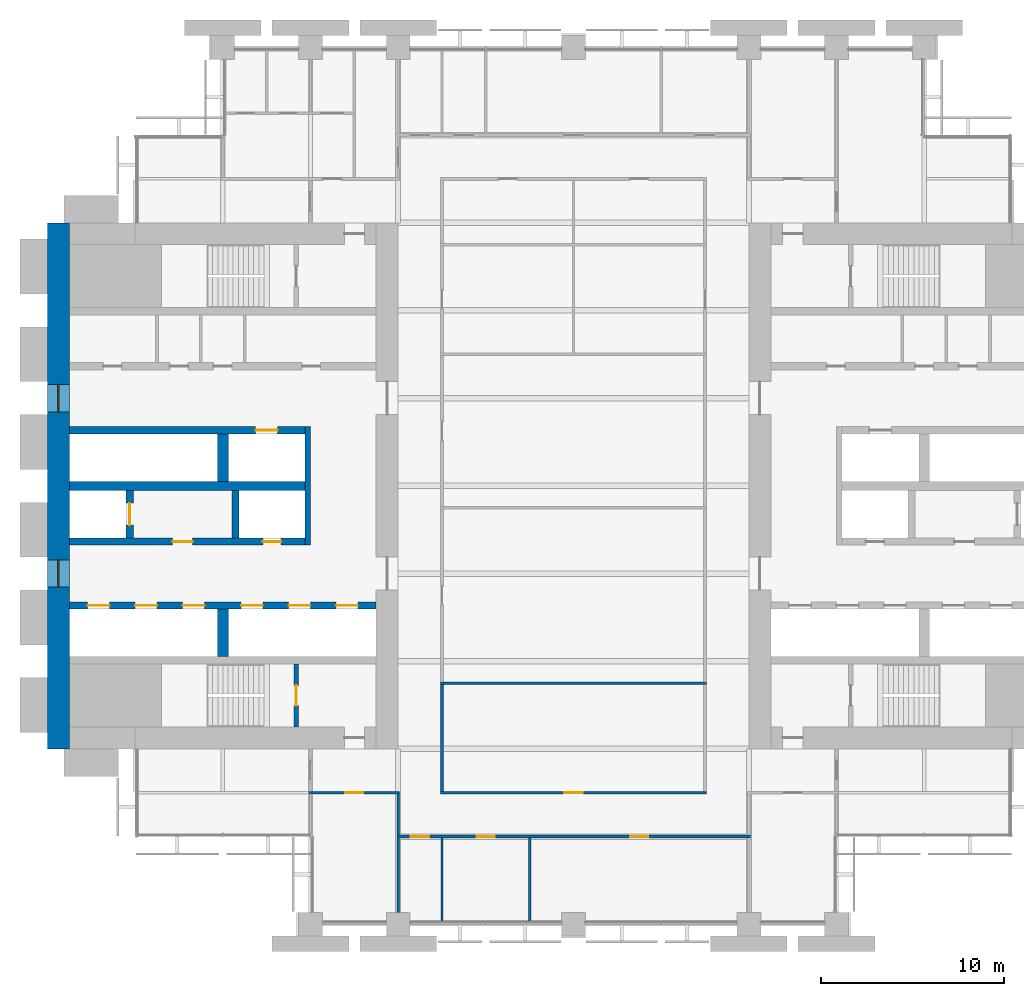
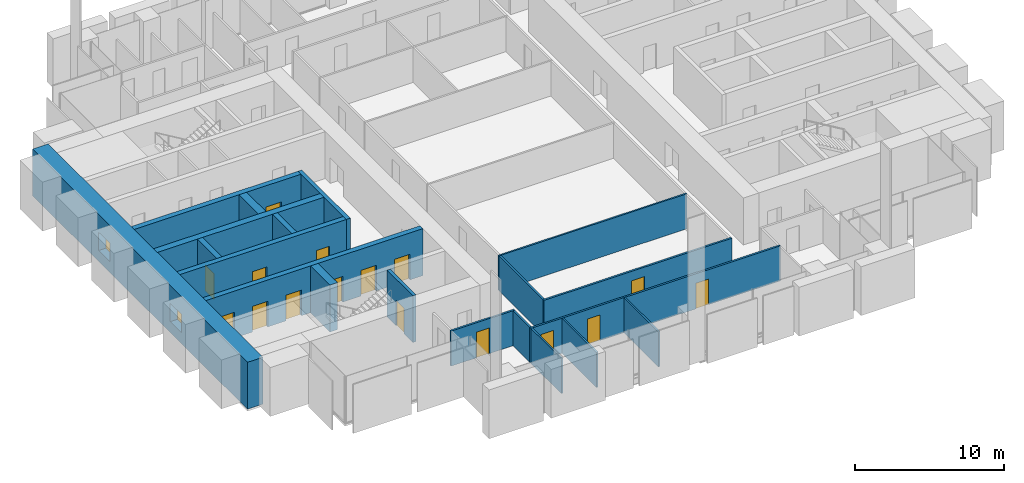
# One storey, part 9 of 14: 20 walls, 16 doors, 2 windows, 18 openings.
"""IFC4 building model written with IfcOpenShell, lengths in metres."""

from ifc_helpers import new_model, si_unit, direction, frame, frame_2d, origin, place, context, subcontext, project, spatial, rectangle, extrude, material, layer, layer_set, type_object, element, fill, save


model = new_model("IFC4")

# Units and contexts
model_context = context("Model", 3, precision=1e-05, world=origin(), true_north=direction((0.0, 1.0)))
body_context = subcontext(model_context, "Body", "Model", "MODEL_VIEW")
ifc_project = project(units=[si_unit("LENGTHUNIT", "METRE"), si_unit("AREAUNIT", "SQUARE_METRE"), si_unit("VOLUMEUNIT", "CUBIC_METRE"), si_unit("PLANEANGLEUNIT", "RADIAN"), si_unit("MASSUNIT", "GRAM", prefix="KILO")], contexts=[model_context])

# Site, building, storey
site_placement = place(None, origin())
site = spatial("IfcSite", under=ifc_project, at=site_placement, CompositionType="ELEMENT")
building_placement = place(site_placement, origin())
building = spatial("IfcBuilding", under=site, at=building_placement, Name="Baori Bourse Tower", CompositionType="ELEMENT")
storey_placement = place(building_placement, frame((0.0, 0.0, 63.0)))
storey = spatial("IfcBuildingStorey", under=building, at=storey_placement, Name="L13", CompositionType="ELEMENT", Elevation=63.0)

# Wall, openings, windows
ifc_material_1 = material(Name="Concrete f'c 70 MPa", Category="concrete")
ifc_layer_1 = layer(ifc_material_1, 1.199951171875)
ifc_layer_set_1 = layer_set([ifc_layer_1], Name="Core wall 1200 f'c 70")
wall_type_1 = type_object("IfcWallType", Name="Core wall 1200 f'c 70", PredefinedType="SHEAR", material=ifc_layer_set_1)
wall_1_placement = place(storey_placement, frame((0.60009765625, 9.60009765625, 0.0), z_axis=(0.0, 0.0, 1.0), x_axis=(0.0, 1.0, 0.0)))
wall_1 = element("IfcWall", 1, at=wall_1_placement, inside=storey, type_object=wall_type_1, Name="Core wall W01", PredefinedType="SHEAR", context=body_context, shape_type="SweptSolid", body=[
    extrude(rectangle(XDim=28.7998046875, YDim=1.199951171875, at=frame_2d((14.39990234375, 0.0))), origin(), (0.0, 0.0, 1.0), 3.840087890625),
])
opening_1_placement = place(wall_1_placement, frame((8.85009765625, 0.0, 0.89990234375)))
opening_1 = element("IfcOpeningElement", 2, at=opening_1_placement, cuts=wall_1, Name="Opening L13-KW101", PredefinedType="OPENING", context=body_context, shape_type="SweptSolid", body=[
    extrude(rectangle(XDim=1.5, YDim=1.5, at=frame_2d((0.75, 0.75))), frame((0.0, 0.60986328125, 0.0), z_axis=(0.0, -1.0, 0.0), x_axis=(1.0, 0.0, 0.0)), (0.0, 0.0, 1.0), 1.219970703125),
])
opening_2_placement = place(wall_1_placement, frame((18.449951171875, 0.0, 0.89990234375)))
opening_2 = element("IfcOpeningElement", 3, at=opening_2_placement, cuts=wall_1, Name="Opening L13-KW102", PredefinedType="OPENING", context=body_context, shape_type="SweptSolid", body=[
    extrude(rectangle(XDim=1.5, YDim=1.5, at=frame_2d((0.75, 0.75))), frame((0.0, 0.60986328125, 0.0), z_axis=(0.0, -1.0, 0.0), x_axis=(1.0, 0.0, 0.0)), (0.0, 0.0, 1.0), 1.219970703125),
])
ifc_material_2 = material(Name="Pale anodised aluminium", Category="aluminium")
window_type = type_object("IfcWindowType", Name="Lobby window 1500 x 1500", PartitioningType="SINGLE_PANEL", PredefinedType="WINDOW", material=ifc_material_2)
window_1_placement = place(opening_1_placement, origin())
window_1 = element("IfcWindow", 4, at=window_1_placement, inside=storey, type_object=window_type, Name="Outer wall window W L13 1", OverallHeight=1.5, OverallWidth=1.5, PartitioningType="SINGLE_PANEL", PredefinedType="WINDOW", context=body_context, shape_type="SweptSolid", body=[
    extrude(rectangle(XDim=1.5, YDim=1.5, at=frame_2d((0.75, 0.75))), frame((0.0, 0.030029296875, 0.0), z_axis=(0.0, -1.0, 0.0), x_axis=(1.0, 0.0, 0.0)), (0.0, 0.0, 1.0), 0.06005859375),
])
fill(opening_1, window_1)
window_2_placement = place(opening_2_placement, origin())
window_2 = element("IfcWindow", 5, at=window_2_placement, inside=storey, type_object=window_type, Name="Outer wall window W L13 2", OverallHeight=1.5, OverallWidth=1.5, PartitioningType="SINGLE_PANEL", PredefinedType="WINDOW", context=body_context, shape_type="SweptSolid", body=[
    extrude(rectangle(XDim=1.5, YDim=1.5, at=frame_2d((0.75, 0.75))), frame((0.0, 0.030029296875, 0.0), z_axis=(0.0, -1.0, 0.0), x_axis=(1.0, 0.0, 0.0)), (0.0, 0.0, 1.0), 0.06005859375),
])
fill(opening_2, window_2)

# Wall, openings, doors
ifc_material_3 = material(Name="Gypsum board partition")
ifc_layer_2 = layer(ifc_material_3, 0.14990234375)
ifc_layer_set_2 = layer_set([ifc_layer_2], Name="Corridor partition 150")
wall_type_2 = type_object("IfcWallType", Name="Corridor partition 150", PredefinedType="PARTITIONING", material=ifc_layer_set_2)
wall_2_placement = place(storey_placement, frame((19.125, 4.800048828125, 0.0), z_axis=(0.0, 0.0, 1.0), x_axis=(1.0, 0.0, 0.0)))
wall_2 = element("IfcWall", 6, at=wall_2_placement, inside=storey, type_object=wall_type_2, Name="Partition", PredefinedType="PARTITIONING", context=body_context, shape_type="SweptSolid", body=[
    extrude(rectangle(XDim=19.35009765625, YDim=0.14990234375, at=frame_2d((9.675048828125, 0.0))), origin(), (0.0, 0.0, 1.0), 2.86962890625),
])
opening_3_placement = place(wall_2_placement, frame((0.77490234375, 0.0, 0.0)))
opening_3 = element("IfcOpeningElement", 7, at=opening_3_placement, cuts=wall_2, Name="Opening L13-D01", PredefinedType="OPENING", context=body_context, shape_type="SweptSolid", body=[
    extrude(rectangle(XDim=1.0, YDim=2.10009765625, at=frame_2d((0.5, 1.050048828125))), frame((0.0, 0.0849609375, 0.0), z_axis=(0.0, -1.0, 0.0), x_axis=(1.0, 0.0, 0.0)), (0.0, 0.0, 1.0), 0.169921875),
])
opening_4_placement = place(wall_2_placement, frame((4.375, 0.0, 0.0)))
opening_4 = element("IfcOpeningElement", 8, at=opening_4_placement, cuts=wall_2, Name="Opening L13-D02", PredefinedType="OPENING", context=body_context, shape_type="SweptSolid", body=[
    extrude(rectangle(XDim=1.0, YDim=2.10009765625, at=frame_2d((0.5, 1.050048828125))), frame((0.0, 0.0849609375, 0.0), z_axis=(0.0, -1.0, 0.0), x_axis=(1.0, 0.0, 0.0)), (0.0, 0.0, 1.0), 0.169921875),
])
opening_5_placement = place(wall_2_placement, frame((12.77490234375, 0.0, 0.0)))
opening_5 = element("IfcOpeningElement", 9, at=opening_5_placement, cuts=wall_2, Name="Opening L13-D03", PredefinedType="OPENING", context=body_context, shape_type="SweptSolid", body=[
    extrude(rectangle(XDim=1.0, YDim=2.10009765625, at=frame_2d((0.5, 1.050048828125))), frame((0.0, 0.0849609375, 0.0), z_axis=(0.0, -1.0, 0.0), x_axis=(1.0, 0.0, 0.0)), (0.0, 0.0, 1.0), 0.169921875),
])
ifc_material_4 = material(Name="Timber door leaf", Category="wood")
door_type_1 = type_object("IfcDoorType", Name="Door 1000 x 2100", OperationType="SINGLE_SWING_LEFT", PredefinedType="DOOR", material=ifc_material_4)
door_1_placement = place(opening_3_placement, origin())
door_1 = element("IfcDoor", 10, at=door_1_placement, inside=storey, type_object=door_type_1, Name="Door", OperationType="SINGLE_SWING_LEFT", OverallHeight=2.10009765625, OverallWidth=1.0, PredefinedType="DOOR", context=body_context, shape_type="SweptSolid", body=[
    extrude(rectangle(XDim=1.0, YDim=2.10009765625, at=frame_2d((0.5, 1.050048828125))), frame((0.0, 0.02490234375, 0.0), z_axis=(0.0, -1.0, 0.0), x_axis=(1.0, 0.0, 0.0)), (0.0, 0.0, 1.0), 0.050048828125),
])
fill(opening_3, door_1)
door_2_placement = place(opening_4_placement, origin())
door_2 = element("IfcDoor", 11, at=door_2_placement, inside=storey, type_object=door_type_1, Name="Door", OperationType="SINGLE_SWING_LEFT", OverallHeight=2.10009765625, OverallWidth=1.0, PredefinedType="DOOR", context=body_context, shape_type="SweptSolid", body=[
    extrude(rectangle(XDim=1.0, YDim=2.10009765625, at=frame_2d((0.5, 1.050048828125))), frame((0.0, 0.02490234375, 0.0), z_axis=(0.0, -1.0, 0.0), x_axis=(1.0, 0.0, 0.0)), (0.0, 0.0, 1.0), 0.050048828125),
])
fill(opening_4, door_2)
door_3_placement = place(opening_5_placement, origin())
door_3 = element("IfcDoor", 12, at=door_3_placement, inside=storey, type_object=door_type_1, Name="Door", OperationType="SINGLE_SWING_RIGHT", OverallHeight=2.10009765625, OverallWidth=1.0, PredefinedType="DOOR", context=body_context, shape_type="SweptSolid", body=[
    extrude(rectangle(XDim=1.0, YDim=2.10009765625, at=frame_2d((0.5, 1.050048828125))), frame((0.0, 0.02490234375, 0.0), z_axis=(0.0, -1.0, 0.0), x_axis=(1.0, 0.0, 0.0)), (0.0, 0.0, 1.0), 0.050048828125),
])
fill(opening_5, door_3)

# Wall, opening, door
wall_3_placement = place(storey_placement, frame((14.324951171875, 7.199951171875, 0.0), z_axis=(0.0, 0.0, 1.0), x_axis=(1.0, 0.0, 0.0)))
wall_3 = element("IfcWall", 13, at=wall_3_placement, inside=storey, type_object=wall_type_2, Name="Partition", PredefinedType="PARTITIONING", context=body_context, shape_type="SweptSolid", body=[
    extrude(rectangle(XDim=4.949951171875, YDim=0.14990234375, at=frame_2d((2.47509765625, 0.0))), origin(), (0.0, 0.0, 1.0), 2.86962890625),
])
opening_6_placement = place(wall_3_placement, frame((1.97509765625, 0.0, 0.0)))
opening_6 = element("IfcOpeningElement", 14, at=opening_6_placement, cuts=wall_3, Name="Opening L13-D04", PredefinedType="OPENING", context=body_context, shape_type="SweptSolid", body=[
    extrude(rectangle(XDim=1.0, YDim=2.10009765625, at=frame_2d((0.5, 1.050048828125))), frame((0.0, 0.0849609375, 0.0), z_axis=(0.0, -1.0, 0.0), x_axis=(1.0, 0.0, 0.0)), (0.0, 0.0, 1.0), 0.169921875),
])
door_4_placement = place(opening_6_placement, origin())
door_4 = element("IfcDoor", 15, at=door_4_placement, inside=storey, type_object=door_type_1, Name="Door", OperationType="SINGLE_SWING_RIGHT", OverallHeight=2.10009765625, OverallWidth=1.0, PredefinedType="DOOR", context=body_context, shape_type="SweptSolid", body=[
    extrude(rectangle(XDim=1.0, YDim=2.10009765625, at=frame_2d((0.5, 1.050048828125))), frame((0.0, 0.02490234375, 0.0), z_axis=(0.0, -1.0, 0.0), x_axis=(1.0, 0.0, 0.0)), (0.0, 0.0, 1.0), 0.050048828125),
])
fill(opening_6, door_4)

wall_4_placement = place(storey_placement, frame((21.52490234375, 7.199951171875, 0.0), z_axis=(0.0, 0.0, 1.0), x_axis=(1.0, 0.0, 0.0)))
wall_4 = element("IfcWall", 16, at=wall_4_placement, inside=storey, type_object=wall_type_2, Name="Partition", PredefinedType="PARTITIONING", context=body_context, shape_type="SweptSolid", body=[
    extrude(rectangle(XDim=14.550048828125, YDim=0.14990234375, at=frame_2d((7.27490234375, 0.0))), origin(), (0.0, 0.0, 1.0), 2.86962890625),
])
opening_7_placement = place(wall_4_placement, frame((6.77490234375, 0.0, 0.0)))
opening_7 = element("IfcOpeningElement", 17, at=opening_7_placement, cuts=wall_4, Name="Opening L13-D05", PredefinedType="OPENING", context=body_context, shape_type="SweptSolid", body=[
    extrude(rectangle(XDim=1.0, YDim=2.10009765625, at=frame_2d((0.5, 1.050048828125))), frame((0.0, 0.0849609375, 0.0), z_axis=(0.0, -1.0, 0.0), x_axis=(1.0, 0.0, 0.0)), (0.0, 0.0, 1.0), 0.169921875),
])
door_5_placement = place(opening_7_placement, origin())
door_5 = element("IfcDoor", 18, at=door_5_placement, inside=storey, type_object=door_type_1, Name="Door", OperationType="SINGLE_SWING_RIGHT", OverallHeight=2.10009765625, OverallWidth=1.0, PredefinedType="DOOR", context=body_context, shape_type="SweptSolid", body=[
    extrude(rectangle(XDim=1.0, YDim=2.10009765625, at=frame_2d((0.5, 1.050048828125))), frame((0.0, 0.02490234375, 0.0), z_axis=(0.0, -1.0, 0.0), x_axis=(1.0, 0.0, 0.0)), (0.0, 0.0, 1.0), 0.050048828125),
])
fill(opening_7, door_5)

# Walls
wall_5_placement = place(storey_placement, frame((19.199951171875, 4.875, 0.0), z_axis=(0.0, 0.0, 1.0), x_axis=(0.0, 1.0, 0.0)))
element("IfcWall", 19, at=wall_5_placement, inside=storey, type_object=wall_type_2, Name="Partition", PredefinedType="PARTITIONING", context=body_context, shape_type="SweptSolid", body=[
    extrude(rectangle(XDim=2.25, YDim=0.14990234375, at=frame_2d((1.125, 0.0))), origin(), (0.0, 0.0, 1.0), 2.86962890625),
])
wall_6_placement = place(storey_placement, frame((21.60009765625, 7.27490234375, 0.0), z_axis=(0.0, 0.0, 1.0), x_axis=(0.0, 1.0, 0.0)))
element("IfcWall", 20, at=wall_6_placement, inside=storey, type_object=wall_type_2, Name="Partition", PredefinedType="PARTITIONING", context=body_context, shape_type="SweptSolid", body=[
    extrude(rectangle(XDim=5.862548828125, YDim=0.14990234375, at=frame_2d((2.93115234375, 0.0))), origin(), (0.0, 0.0, 1.0), 2.86962890625),
])
ifc_material_5 = material(Name="Gypsum board partition")
ifc_layer_3 = layer(ifc_material_5, 0.125)
ifc_layer_set_3 = layer_set([ifc_layer_3], Name="Partition 125")
wall_type_3 = type_object("IfcWallType", Name="Partition 125", PredefinedType="PARTITIONING", material=ifc_layer_set_3)
wall_7_placement = place(storey_placement, frame((21.52490234375, 13.199951171875, 0.0), z_axis=(0.0, 0.0, 1.0), x_axis=(1.0, 0.0, 0.0)))
element("IfcWall", 21, at=wall_7_placement, inside=storey, type_object=wall_type_3, Name="Partition", PredefinedType="PARTITIONING", context=body_context, shape_type="SweptSolid", body=[
    extrude(rectangle(XDim=14.550048828125, YDim=0.125, at=frame_2d((7.27490234375, 0.0))), origin(), (0.0, 0.0, 1.0), 2.86962890625),
])
wall_8_placement = place(storey_placement, frame((19.199951171875, 0.64990234375, 0.0), z_axis=(0.0, 0.0, 1.0), x_axis=(0.0, 1.0, 0.0)))
element("IfcWall", 22, at=wall_8_placement, inside=storey, type_object=wall_type_3, Name="Partition", PredefinedType="PARTITIONING", context=body_context, shape_type="SweptSolid", body=[
    extrude(rectangle(XDim=4.0751953125, YDim=0.125, at=frame_2d((2.03759765625, 0.0))), origin(), (0.0, 0.0, 1.0), 2.86962890625),
])
for number, where, z_axis, x_axis, name in (
    (23, (21.60009765625, 0.10009765625, 0.0), (0.0, 0.0, 1.0), (0.0, 1.0, 0.0), "Partition"),
    (24, (26.39990234375, 0.10009765625, 0.0), (0.0, 0.0, 1.0), (0.0, 1.0, 0.0), "Partition"),
):
    element("IfcWall", number, at=place(storey_placement, frame(where, z_axis=z_axis, x_axis=x_axis)), inside=storey, type_object=wall_type_3, Name=name, PredefinedType="PARTITIONING", context=body_context, shape_type="SweptSolid", body=[
        extrude(rectangle(XDim=4.625, YDim=0.125, at=frame_2d((2.3125, 0.0))), origin(), (0.0, 0.0, 1.0), 2.86962890625),
    ])

# Wall, opening, door
ifc_material_6 = material(Name="Concrete f'c 70 MPa", Category="concrete")
ifc_layer_4 = layer(ifc_material_6, 0.25)
ifc_layer_set_4 = layer_set([ifc_layer_4], Name="Shaft wall 250 f'c 70")
wall_type_4 = type_object("IfcWallType", Name="Shaft wall 250 f'c 70", PredefinedType="SHEAR", material=ifc_layer_set_4)
wall_9_placement = place(storey_placement, frame((13.625, 10.800048828125, 0.0), z_axis=(0.0, 0.0, 1.0), x_axis=(0.0, 1.0, 0.0)))
wall_9 = element("IfcWall", 25, at=wall_9_placement, inside=storey, type_object=wall_type_4, Name="Core wall W06", PredefinedType="SHEAR", context=body_context, shape_type="SweptSolid", body=[
    extrude(rectangle(XDim=3.449951171875, YDim=0.25, at=frame_2d((1.72509765625, 0.0))), origin(), (0.0, 0.0, 1.0), 3.840087890625),
])
opening_8_placement = place(wall_9_placement, frame((1.175048828125, 0.0, 0.0)))
opening_8 = element("IfcOpeningElement", 26, at=opening_8_placement, cuts=wall_9, Name="Opening L13-D101", PredefinedType="OPENING", context=body_context, shape_type="SweptSolid", body=[
    extrude(rectangle(XDim=1.10009765625, YDim=2.10009765625, at=frame_2d((0.550048828125, 1.050048828125))), frame((0.0, 0.135009765625, 0.0), z_axis=(0.0, -1.0, 0.0), x_axis=(1.0, 0.0, 0.0)), (0.0, 0.0, 1.0), 0.27001953125),
])
ifc_material_7 = material(Name="Painted steel door", Category="steel")
door_type_2 = type_object("IfcDoorType", Name="Stair door 1100", OperationType="SINGLE_SWING_LEFT", PredefinedType="DOOR", material=ifc_material_7)
door_6_placement = place(opening_8_placement, origin())
door_6 = element("IfcDoor", 27, at=door_6_placement, inside=storey, type_object=door_type_2, Name="Stair door A W L13", OperationType="SINGLE_SWING_LEFT", OverallHeight=2.10009765625, OverallWidth=1.10009765625, PredefinedType="DOOR", context=body_context, shape_type="SweptSolid", body=[
    extrude(rectangle(XDim=1.10009765625, YDim=2.10009765625, at=frame_2d((0.550048828125, 1.050048828125))), frame((0.0, 0.02490234375, 0.0), z_axis=(0.0, -1.0, 0.0), x_axis=(1.0, 0.0, 0.0)), (0.0, 0.0, 1.0), 0.050048828125),
])
fill(opening_8, door_6)

# Wall
ifc_material_8 = material(Name="Concrete f'c 70 MPa", Category="concrete")
ifc_layer_5 = layer(ifc_material_8, 0.300048828125)
ifc_layer_set_5 = layer_set([ifc_layer_5], Name="Shaft wall 300 f'c 70")
wall_type_5 = type_object("IfcWallType", Name="Shaft wall 300 f'c 70", PredefinedType="SHEAR", material=ifc_layer_set_5)
wall_10_placement = place(storey_placement, frame((14.25, 20.75, 0.0), z_axis=(0.0, 0.0, 1.0), x_axis=(0.0, 1.0, 0.0)))
element("IfcWall", 28, at=wall_10_placement, inside=storey, type_object=wall_type_5, Name="Core wall W11", PredefinedType="SHEAR", context=body_context, shape_type="SweptSolid", body=[
    extrude(rectangle(XDim=6.5, YDim=0.300048828125, at=frame_2d((3.25, 0.0))), origin(), (0.0, 0.0, 1.0), 3.840087890625),
])

# Wall, openings, doors
ifc_material_9 = material(Name="Concrete f'c 70 MPa", Category="concrete")
ifc_layer_6 = layer(ifc_material_9, 0.39990234375)
ifc_layer_set_6 = layer_set([ifc_layer_6], Name="Shaft wall 400 f'c 70")
wall_type_6 = type_object("IfcWallType", Name="Shaft wall 400 f'c 70", PredefinedType="SHEAR", material=ifc_layer_set_6)
wall_11_placement = place(storey_placement, frame((1.199951171875, 17.449951171875, 0.0), z_axis=(0.0, 0.0, 1.0), x_axis=(1.0, 0.0, 0.0)))
wall_11 = element("IfcWall", 29, at=wall_11_placement, inside=storey, type_object=wall_type_6, Name="Core wall W09", PredefinedType="SHEAR", context=body_context, shape_type="SweptSolid", body=[
    extrude(rectangle(XDim=16.800048828125, YDim=0.39990234375, at=frame_2d((8.39990234375, 0.0))), origin(), (0.0, 0.0, 1.0), 3.840087890625),
])
opening_9_placement = place(wall_11_placement, frame((1.0, 0.0, 0.0)))
opening_9 = element("IfcOpeningElement", 30, at=opening_9_placement, cuts=wall_11, Name="Opening L13-D113", PredefinedType="OPENING", context=body_context, shape_type="SweptSolid", body=[
    extrude(rectangle(XDim=1.199951171875, YDim=2.10009765625, at=frame_2d((0.60009765625, 1.050048828125))), frame((0.0, 0.2099609375, 0.0), z_axis=(0.0, -1.0, 0.0), x_axis=(1.0, 0.0, 0.0)), (0.0, 0.0, 1.0), 0.419921875),
])
opening_10_placement = place(wall_11_placement, frame((3.60009765625, 0.0, 0.0)))
opening_10 = element("IfcOpeningElement", 31, at=opening_10_placement, cuts=wall_11, Name="Opening L13-D114", PredefinedType="OPENING", context=body_context, shape_type="SweptSolid", body=[
    extrude(rectangle(XDim=1.199951171875, YDim=2.10009765625, at=frame_2d((0.60009765625, 1.050048828125))), frame((0.0, 0.2099609375, 0.0), z_axis=(0.0, -1.0, 0.0), x_axis=(1.0, 0.0, 0.0)), (0.0, 0.0, 1.0), 0.419921875),
])
opening_11_placement = place(wall_11_placement, frame((6.199951171875, 0.0, 0.0)))
opening_11 = element("IfcOpeningElement", 32, at=opening_11_placement, cuts=wall_11, Name="Opening L13-D115", PredefinedType="OPENING", context=body_context, shape_type="SweptSolid", body=[
    extrude(rectangle(XDim=1.199951171875, YDim=2.10009765625, at=frame_2d((0.60009765625, 1.050048828125))), frame((0.0, 0.2099609375, 0.0), z_axis=(0.0, -1.0, 0.0), x_axis=(1.0, 0.0, 0.0)), (0.0, 0.0, 1.0), 0.419921875),
])
opening_12_placement = place(wall_11_placement, frame((9.39990234375, 0.0, 0.0)))
opening_12 = element("IfcOpeningElement", 33, at=opening_12_placement, cuts=wall_11, Name="Opening L13-D116", PredefinedType="OPENING", context=body_context, shape_type="SweptSolid", body=[
    extrude(rectangle(XDim=1.199951171875, YDim=2.10009765625, at=frame_2d((0.60009765625, 1.050048828125))), frame((0.0, 0.2099609375, 0.0), z_axis=(0.0, -1.0, 0.0), x_axis=(1.0, 0.0, 0.0)), (0.0, 0.0, 1.0), 0.419921875),
])
opening_13_placement = place(wall_11_placement, frame((12.0, 0.0, 0.0)))
opening_13 = element("IfcOpeningElement", 34, at=opening_13_placement, cuts=wall_11, Name="Opening L13-D117", PredefinedType="OPENING", context=body_context, shape_type="SweptSolid", body=[
    extrude(rectangle(XDim=1.199951171875, YDim=2.10009765625, at=frame_2d((0.60009765625, 1.050048828125))), frame((0.0, 0.2099609375, 0.0), z_axis=(0.0, -1.0, 0.0), x_axis=(1.0, 0.0, 0.0)), (0.0, 0.0, 1.0), 0.419921875),
])
opening_14_placement = place(wall_11_placement, frame((14.60009765625, 0.0, 0.0)))
opening_14 = element("IfcOpeningElement", 35, at=opening_14_placement, cuts=wall_11, Name="Opening L13-D118", PredefinedType="OPENING", context=body_context, shape_type="SweptSolid", body=[
    extrude(rectangle(XDim=1.199951171875, YDim=2.10009765625, at=frame_2d((0.60009765625, 1.050048828125))), frame((0.0, 0.2099609375, 0.0), z_axis=(0.0, -1.0, 0.0), x_axis=(1.0, 0.0, 0.0)), (0.0, 0.0, 1.0), 0.419921875),
])
ifc_material_10 = material(Name="Stainless steel door", Category="steel")
door_type_3 = type_object("IfcDoorType", Name="Lift landing door", OperationType="DOUBLE_DOOR_SLIDING", PredefinedType="DOOR", material=ifc_material_10)
door_7_placement = place(opening_9_placement, origin())
door_7 = element("IfcDoor", 36, at=door_7_placement, inside=storey, type_object=door_type_3, Name="Lift landing door LR1 W L13", OperationType="DOUBLE_DOOR_SLIDING", OverallHeight=2.10009765625, OverallWidth=1.199951171875, PredefinedType="DOOR", context=body_context, shape_type="SweptSolid", body=[
    extrude(rectangle(XDim=1.199951171875, YDim=2.10009765625, at=frame_2d((0.60009765625, 1.050048828125))), frame((0.0, 0.02490234375, 0.0), z_axis=(0.0, -1.0, 0.0), x_axis=(1.0, 0.0, 0.0)), (0.0, 0.0, 1.0), 0.050048828125),
])
fill(opening_9, door_7)
door_8_placement = place(opening_10_placement, origin())
door_8 = element("IfcDoor", 37, at=door_8_placement, inside=storey, type_object=door_type_3, Name="Lift landing door LR2 W L13", OperationType="DOUBLE_DOOR_SLIDING", OverallHeight=2.10009765625, OverallWidth=1.199951171875, PredefinedType="DOOR", context=body_context, shape_type="SweptSolid", body=[
    extrude(rectangle(XDim=1.199951171875, YDim=2.10009765625, at=frame_2d((0.60009765625, 1.050048828125))), frame((0.0, 0.02490234375, 0.0), z_axis=(0.0, -1.0, 0.0), x_axis=(1.0, 0.0, 0.0)), (0.0, 0.0, 1.0), 0.050048828125),
])
fill(opening_10, door_8)
door_9_placement = place(opening_11_placement, origin())
door_9 = element("IfcDoor", 38, at=door_9_placement, inside=storey, type_object=door_type_3, Name="Lift landing door LR3 W L13", OperationType="DOUBLE_DOOR_SLIDING", OverallHeight=2.10009765625, OverallWidth=1.199951171875, PredefinedType="DOOR", context=body_context, shape_type="SweptSolid", body=[
    extrude(rectangle(XDim=1.199951171875, YDim=2.10009765625, at=frame_2d((0.60009765625, 1.050048828125))), frame((0.0, 0.02490234375, 0.0), z_axis=(0.0, -1.0, 0.0), x_axis=(1.0, 0.0, 0.0)), (0.0, 0.0, 1.0), 0.050048828125),
])
fill(opening_11, door_9)
door_10_placement = place(opening_12_placement, origin())
door_10 = element("IfcDoor", 39, at=door_10_placement, inside=storey, type_object=door_type_3, Name="Lift landing door LR4 W L13", OperationType="DOUBLE_DOOR_SLIDING", OverallHeight=2.10009765625, OverallWidth=1.199951171875, PredefinedType="DOOR", context=body_context, shape_type="SweptSolid", body=[
    extrude(rectangle(XDim=1.199951171875, YDim=2.10009765625, at=frame_2d((0.60009765625, 1.050048828125))), frame((0.0, 0.02490234375, 0.0), z_axis=(0.0, -1.0, 0.0), x_axis=(1.0, 0.0, 0.0)), (0.0, 0.0, 1.0), 0.050048828125),
])
fill(opening_12, door_10)
door_11_placement = place(opening_13_placement, origin())
door_11 = element("IfcDoor", 40, at=door_11_placement, inside=storey, type_object=door_type_3, Name="Lift landing door LR5 W L13", OperationType="DOUBLE_DOOR_SLIDING", OverallHeight=2.10009765625, OverallWidth=1.199951171875, PredefinedType="DOOR", context=body_context, shape_type="SweptSolid", body=[
    extrude(rectangle(XDim=1.199951171875, YDim=2.10009765625, at=frame_2d((0.60009765625, 1.050048828125))), frame((0.0, 0.02490234375, 0.0), z_axis=(0.0, -1.0, 0.0), x_axis=(1.0, 0.0, 0.0)), (0.0, 0.0, 1.0), 0.050048828125),
])
fill(opening_13, door_11)
door_12_placement = place(opening_14_placement, origin())
door_12 = element("IfcDoor", 41, at=door_12_placement, inside=storey, type_object=door_type_3, Name="Lift landing door LR6 W L13", OperationType="DOUBLE_DOOR_SLIDING", OverallHeight=2.10009765625, OverallWidth=1.199951171875, PredefinedType="DOOR", context=body_context, shape_type="SweptSolid", body=[
    extrude(rectangle(XDim=1.199951171875, YDim=2.10009765625, at=frame_2d((0.60009765625, 1.050048828125))), frame((0.0, 0.02490234375, 0.0), z_axis=(0.0, -1.0, 0.0), x_axis=(1.0, 0.0, 0.0)), (0.0, 0.0, 1.0), 0.050048828125),
])
fill(opening_14, door_12)

wall_12_placement = place(storey_placement, frame((1.199951171875, 20.949951171875, 0.0), z_axis=(0.0, 0.0, 1.0), x_axis=(1.0, 0.0, 0.0)))
wall_12 = element("IfcWall", 42, at=wall_12_placement, inside=storey, type_object=wall_type_6, Name="Core wall W10", PredefinedType="SHEAR", context=body_context, shape_type="SweptSolid", body=[
    extrude(rectangle(XDim=12.900146484375, YDim=0.39990234375, at=frame_2d((6.4501953125, 0.0))), origin(), (0.0, 0.0, 1.0), 3.840087890625),
])
opening_15_placement = place(wall_12_placement, frame((5.64990234375, 0.0, 0.0)))
opening_15 = element("IfcOpeningElement", 43, at=opening_15_placement, cuts=wall_12, Name="Opening L13-D105", PredefinedType="OPENING", context=body_context, shape_type="SweptSolid", body=[
    extrude(rectangle(XDim=1.10009765625, YDim=2.10009765625, at=frame_2d((0.550048828125, 1.050048828125))), frame((0.0, 0.2099609375, 0.0), z_axis=(0.0, -1.0, 0.0), x_axis=(1.0, 0.0, 0.0)), (0.0, 0.0, 1.0), 0.419921875),
])
opening_16_placement = place(wall_12_placement, frame((10.60009765625, 0.0, 0.0)))
opening_16 = element("IfcOpeningElement", 44, at=opening_16_placement, cuts=wall_12, Name="Opening L13-D106", PredefinedType="OPENING", context=body_context, shape_type="SweptSolid", body=[
    extrude(rectangle(XDim=1.0, YDim=2.10009765625, at=frame_2d((0.5, 1.050048828125))), frame((0.0, 0.2099609375, 0.0), z_axis=(0.0, -1.0, 0.0), x_axis=(1.0, 0.0, 0.0)), (0.0, 0.0, 1.0), 0.419921875),
])
ifc_material_11 = material(Name="Painted steel door", Category="steel")
door_type_4 = type_object("IfcDoorType", Name="Lobby door 1100", OperationType="SINGLE_SWING_LEFT", PredefinedType="DOOR", material=ifc_material_11)
door_13_placement = place(opening_15_placement, origin())
door_13 = element("IfcDoor", 45, at=door_13_placement, inside=storey, type_object=door_type_4, Name="Firefighting lobby door W L13", OperationType="SINGLE_SWING_LEFT", OverallHeight=2.10009765625, OverallWidth=1.10009765625, PredefinedType="DOOR", context=body_context, shape_type="SweptSolid", body=[
    extrude(rectangle(XDim=1.10009765625, YDim=2.10009765625, at=frame_2d((0.550048828125, 1.050048828125))), frame((0.0, 0.02490234375, 0.0), z_axis=(0.0, -1.0, 0.0), x_axis=(1.0, 0.0, 0.0)), (0.0, 0.0, 1.0), 0.050048828125),
])
fill(opening_15, door_13)
ifc_material_12 = material(Name="Painted steel door", Category="steel")
door_type_5 = type_object("IfcDoorType", Name="Shaft door 1000", OperationType="SINGLE_SWING_LEFT", PredefinedType="DOOR", material=ifc_material_12)
door_14_placement = place(opening_16_placement, origin())
door_14 = element("IfcDoor", 46, at=door_14_placement, inside=storey, type_object=door_type_5, Name="Riser room door W L13", OperationType="SINGLE_SWING_LEFT", OverallHeight=2.10009765625, OverallWidth=1.0, PredefinedType="DOOR", context=body_context, shape_type="SweptSolid", body=[
    extrude(rectangle(XDim=1.0, YDim=2.10009765625, at=frame_2d((0.5, 1.050048828125))), frame((0.0, 0.02490234375, 0.0), z_axis=(0.0, -1.0, 0.0), x_axis=(1.0, 0.0, 0.0)), (0.0, 0.0, 1.0), 0.050048828125),
])
fill(opening_16, door_14)

# Wall, opening, door
wall_13_placement = place(storey_placement, frame((4.5, 21.14990234375, 0.0), z_axis=(0.0, 0.0, 1.0), x_axis=(0.0, 1.0, 0.0)))
wall_13 = element("IfcWall", 47, at=wall_13_placement, inside=storey, type_object=wall_type_6, Name="Core wall W12", PredefinedType="SHEAR", context=body_context, shape_type="SweptSolid", body=[
    extrude(rectangle(XDim=2.60009765625, YDim=0.39990234375, at=frame_2d((1.300048828125, 0.0))), origin(), (0.0, 0.0, 1.0), 3.840087890625),
])
opening_17_placement = place(wall_13_placement, frame((0.699951171875, 0.0, 0.0)))
opening_17 = element("IfcOpeningElement", 48, at=opening_17_placement, cuts=wall_13, Name="Opening L13-D120", PredefinedType="OPENING", context=body_context, shape_type="SweptSolid", body=[
    extrude(rectangle(XDim=1.199951171875, YDim=2.10009765625, at=frame_2d((0.60009765625, 1.050048828125))), frame((0.0, 0.2099609375, 0.0), z_axis=(0.0, -1.0, 0.0), x_axis=(1.0, 0.0, 0.0)), (0.0, 0.0, 1.0), 0.419921875),
])
door_15_placement = place(opening_17_placement, origin())
door_15 = element("IfcDoor", 49, at=door_15_placement, inside=storey, type_object=door_type_3, Name="Lift landing door FF1 W L13", OperationType="DOUBLE_DOOR_SLIDING", OverallHeight=2.10009765625, OverallWidth=1.199951171875, PredefinedType="DOOR", context=body_context, shape_type="SweptSolid", body=[
    extrude(rectangle(XDim=1.199951171875, YDim=2.10009765625, at=frame_2d((0.60009765625, 1.050048828125))), frame((0.0, 0.02490234375, 0.0), z_axis=(0.0, -1.0, 0.0), x_axis=(1.0, 0.0, 0.0)), (0.0, 0.0, 1.0), 0.050048828125),
])
fill(opening_17, door_15)

# Wall
wall_14_placement = place(storey_placement, frame((10.300048828125, 21.14990234375, 0.0), z_axis=(0.0, 0.0, 1.0), x_axis=(0.0, 1.0, 0.0)))
element("IfcWall", 50, at=wall_14_placement, inside=storey, type_object=wall_type_6, Name="Core wall W13", PredefinedType="SHEAR", context=body_context, shape_type="SweptSolid", body=[
    extrude(rectangle(XDim=2.60009765625, YDim=0.39990234375, at=frame_2d((1.300048828125, 0.0))), origin(), (0.0, 0.0, 1.0), 3.840087890625),
])

# Wall, opening, door
wall_15_placement = place(storey_placement, frame((1.199951171875, 27.050048828125, 0.0), z_axis=(0.0, 0.0, 1.0), x_axis=(1.0, 0.0, 0.0)))
wall_15 = element("IfcWall", 51, at=wall_15_placement, inside=storey, type_object=wall_type_6, Name="Core wall W16", PredefinedType="SHEAR", context=body_context, shape_type="SweptSolid", body=[
    extrude(rectangle(XDim=12.900146484375, YDim=0.39990234375, at=frame_2d((6.4501953125, 0.0))), origin(), (0.0, 0.0, 1.0), 3.840087890625),
])
opening_18_placement = place(wall_15_placement, frame((10.199951171875, 0.0, 0.0)))
opening_18 = element("IfcOpeningElement", 52, at=opening_18_placement, cuts=wall_15, Name="Opening L13-D119", PredefinedType="OPENING", context=body_context, shape_type="SweptSolid", body=[
    extrude(rectangle(XDim=1.199951171875, YDim=2.10009765625, at=frame_2d((0.60009765625, 1.050048828125))), frame((0.0, 0.2099609375, 0.0), z_axis=(0.0, -1.0, 0.0), x_axis=(1.0, 0.0, 0.0)), (0.0, 0.0, 1.0), 0.419921875),
])
door_16_placement = place(opening_18_placement, origin())
door_16 = element("IfcDoor", 53, at=door_16_placement, inside=storey, type_object=door_type_3, Name="Lift landing door SV1 W L13", OperationType="DOUBLE_DOOR_SLIDING", OverallHeight=2.10009765625, OverallWidth=1.199951171875, PredefinedType="DOOR", context=body_context, shape_type="SweptSolid", body=[
    extrude(rectangle(XDim=1.199951171875, YDim=2.10009765625, at=frame_2d((0.60009765625, 1.050048828125))), frame((0.0, 0.02490234375, 0.0), z_axis=(0.0, -1.0, 0.0), x_axis=(1.0, 0.0, 0.0)), (0.0, 0.0, 1.0), 0.050048828125),
])
fill(opening_18, door_16)

# Walls
ifc_material_13 = material(Name="Concrete f'c 70 MPa", Category="concrete")
ifc_layer_7 = layer(ifc_material_13, 0.5)
ifc_layer_set_7 = layer_set([ifc_layer_7], Name="Shaft wall 500 f'c 70")
wall_type_7 = type_object("IfcWallType", Name="Shaft wall 500 f'c 70", PredefinedType="SHEAR", material=ifc_layer_set_7)
wall_16_placement = place(storey_placement, frame((1.199951171875, 24.0, 0.0), z_axis=(0.0, 0.0, 1.0), x_axis=(1.0, 0.0, 0.0)))
element("IfcWall", 54, at=wall_16_placement, inside=storey, type_object=wall_type_7, Name="Core wall W14", PredefinedType="SHEAR", context=body_context, shape_type="SweptSolid", body=[
    extrude(rectangle(XDim=12.900146484375, YDim=0.5, at=frame_2d((6.4501953125, 0.0))), origin(), (0.0, 0.0, 1.0), 3.840087890625),
])
ifc_material_14 = material(Name="Concrete f'c 70 MPa", Category="concrete")
ifc_layer_8 = layer(ifc_material_14, 0.60009765625)
ifc_layer_set_8 = layer_set([ifc_layer_8], Name="Shaft wall 600 f'c 70")
wall_type_8 = type_object("IfcWallType", Name="Shaft wall 600 f'c 70", PredefinedType="SHEAR", material=ifc_layer_set_8)
for number, where, z_axis, x_axis, name in (
    (55, (9.60009765625, 14.64990234375, 0.0), (0.0, 0.0, 1.0), (0.0, 1.0, 0.0), "Core wall W08"),
    (56, (9.60009765625, 24.25, 0.0), (0.0, 0.0, 1.0), (0.0, 1.0, 0.0), "Core wall W15"),
):
    element("IfcWall", number, at=place(storey_placement, frame(where, z_axis=z_axis, x_axis=x_axis)), inside=storey, type_object=wall_type_8, Name=name, PredefinedType="SHEAR", context=body_context, shape_type="SweptSolid", body=[
        extrude(rectangle(XDim=2.60009765625, YDim=0.60009765625, at=frame_2d((1.300048828125, 0.0))), origin(), (0.0, 0.0, 1.0), 3.840087890625),
    ])

save(model, "model.ifc")
